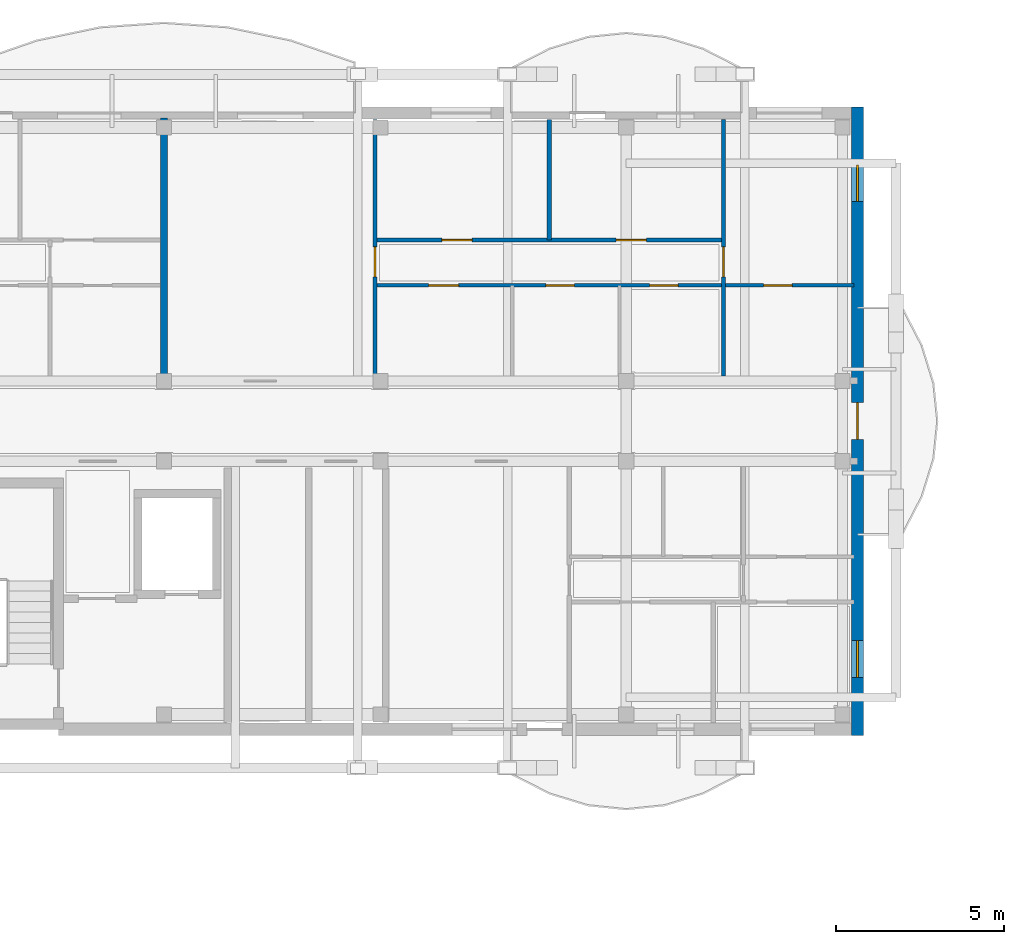
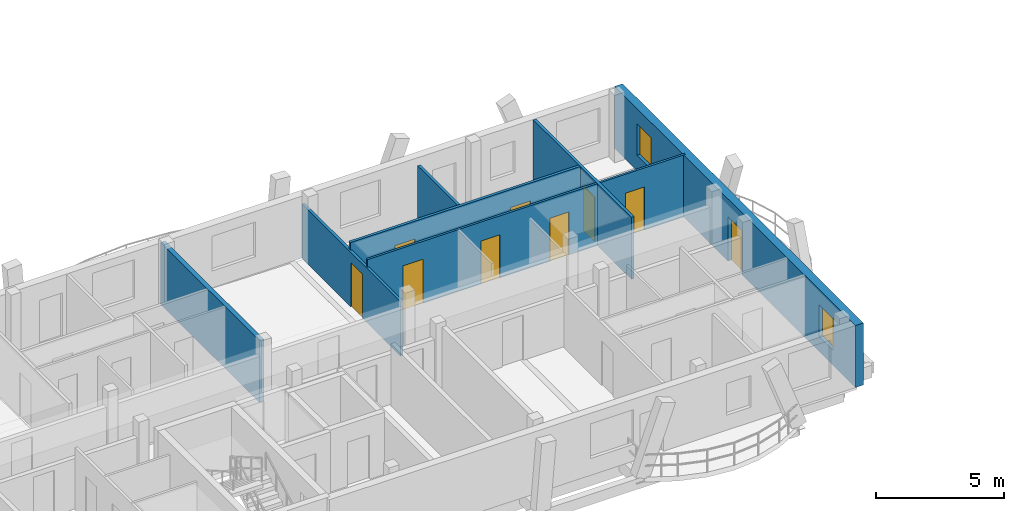
# One storey, part 25 of 48: 9 doors, 7 walls, 2 windows, 11 openings.
"""IFC4 building model written with IfcOpenShell, lengths in metres."""

from ifc_helpers import new_model, si_unit, direction, frame, frame_2d, origin, origin_with_axes, place, context, subcontext, project, spatial, rectangle, extrude, material, layer, layer_set, type_object, element, fill, save


model = new_model("IFC4")

# Units and contexts
model_context = context("Model", 3, precision=1e-05, world=origin(), true_north=direction((0.0, 1.0)))
body_context = subcontext(model_context, "Body", "Model", "MODEL_VIEW")
ifc_project = project(units=[si_unit("LENGTHUNIT", "METRE"), si_unit("AREAUNIT", "SQUARE_METRE"), si_unit("VOLUMEUNIT", "CUBIC_METRE"), si_unit("PLANEANGLEUNIT", "RADIAN"), si_unit("MASSUNIT", "GRAM", prefix="KILO")], contexts=[model_context])

# Site, building, storey
site_placement = place(None, origin())
site = spatial("IfcSite", under=ifc_project, at=site_placement, CompositionType="ELEMENT")
building_placement = place(site_placement, origin())
building = spatial("IfcBuilding", under=site, at=building_placement, Name="Zavelmont Quarter", CompositionType="ELEMENT")
storey_placement = place(building_placement, frame((0.0, 0.0, 17.60009765625)))
storey = spatial("IfcBuildingStorey", under=building, at=storey_placement, Name="L05", CompositionType="ELEMENT", Elevation=17.60009765625)

# Wall, openings, door, windows
ifc_material_1 = material(Name="Natural Belgian limestone", Category="masonry")
ifc_layer_1 = layer(ifc_material_1, 0.360107421875)
ifc_layer_set_1 = layer_set([ifc_layer_1], Name="Natural Belgian limestone")
wall_type_1 = type_object("IfcWallType", Name="EW02", PredefinedType="STANDARD", material=ifc_layer_set_1)
wall_1_placement = place(storey_placement, frame((55.199951171875, 97.419921875, 0.0), z_axis=(0.0, 0.0, 1.0), x_axis=(0.0, 1.0, 0.0)))
wall_1 = element("IfcWall", 1, at=wall_1_placement, inside=storey, type_object=wall_type_1, Name="L05 exterior limestone wall EW02", PredefinedType="STANDARD", context=body_context, shape_type="SweptSolid", body=[
    extrude(rectangle(XDim=18.760009765625, YDim=0.360107421875, at=frame_2d((9.3798828125, 0.0))), origin(), (0.0, 0.0, 1.0), 2.949951171875),
])
opening_1_placement = place(wall_1_placement, frame((8.830078125, 0.0, 0.0)))
opening_1 = element("IfcOpeningElement", 2, at=opening_1_placement, cuts=wall_1, Name="Opening DR04B", PredefinedType="OPENING", context=body_context, shape_type="SweptSolid", body=[
    extrude(rectangle(XDim=1.10009765625, YDim=2.10009765625, at=frame_2d((0.550048828125, 1.050048828125))), frame((0.0, 0.19189453125, 0.0), z_axis=(0.0, -1.0, 0.0), x_axis=(1.0, 0.0, 0.0)), (0.0, 0.0, 1.0), 0.384033203125),
])
opening_2_placement = place(wall_1_placement, frame((1.72998046875, 0.0, 0.719970703125)))
opening_2 = element("IfcOpeningElement", 3, at=opening_2_placement, cuts=wall_1, Name="Opening WN09", PredefinedType="OPENING", context=body_context, shape_type="SweptSolid", body=[
    extrude(rectangle(XDim=1.10009765625, YDim=1.5, at=frame_2d((0.550048828125, 0.75))), frame((0.0, 0.19189453125, 0.0), z_axis=(0.0, -1.0, 0.0), x_axis=(1.0, 0.0, 0.0)), (0.0, 0.0, 1.0), 0.384033203125),
])
opening_3_placement = place(wall_1_placement, frame((15.929931640625, 0.0, 0.719970703125)))
opening_3 = element("IfcOpeningElement", 4, at=opening_3_placement, cuts=wall_1, Name="Opening WN09", PredefinedType="OPENING", context=body_context, shape_type="SweptSolid", body=[
    extrude(rectangle(XDim=1.10009765625, YDim=1.5, at=frame_2d((0.550048828125, 0.75))), frame((0.0, 0.19189453125, 0.0), z_axis=(0.0, -1.0, 0.0), x_axis=(1.0, 0.0, 0.0)), (0.0, 0.0, 1.0), 0.384033203125),
])
ifc_material_2 = material(Name="Thermally broken aluminium and double safety glass", Category="aluminium")
door_type_1 = type_object("IfcDoorType", Name="DR04B", OperationType="NOTDEFINED", PredefinedType="DOOR", material=ifc_material_2)
door_1_placement = place(opening_1_placement, origin_with_axes())
door_1 = element("IfcDoor", 5, at=door_1_placement, inside=storey, type_object=door_type_1, Name="Block B L05 terrace or vase balcony door", OperationType="SINGLE_SWING_RIGHT", OverallHeight=2.10009765625, OverallWidth=1.10009765625, PredefinedType="DOOR", context=body_context, shape_type="SweptSolid", body=[
    extrude(rectangle(XDim=1.10009765625, YDim=2.10009765625, at=frame_2d((0.550048828125, 1.050048828125))), frame((0.0, 0.02490234375, 0.0), z_axis=(0.0, -1.0, 0.0), x_axis=(1.0, 0.0, 0.0)), (0.0, 0.0, 1.0), 0.050048828125),
])
fill(opening_1, door_1)
ifc_material_3 = material(Name="Double low-E insulated glazing in thermally broken aluminium frame", Category="aluminium")
window_type = type_object("IfcWindowType", Name="WN09", PartitioningType="SINGLE_PANEL", PredefinedType="WINDOW", material=ifc_material_3)
window_1_placement = place(opening_2_placement, origin_with_axes())
window_1 = element("IfcWindow", 6, at=window_1_placement, inside=storey, type_object=window_type, Name="L05 window WN09", OverallHeight=1.5, OverallWidth=1.10009765625, PartitioningType="SINGLE_PANEL", PredefinedType="WINDOW", context=body_context, shape_type="SweptSolid", body=[
    extrude(rectangle(XDim=1.10009765625, YDim=1.5, at=frame_2d((0.550048828125, 0.75))), frame((0.0, 0.030029296875, 0.0), z_axis=(0.0, -1.0, 0.0), x_axis=(1.0, 0.0, 0.0)), (0.0, 0.0, 1.0), 0.06005859375),
])
fill(opening_2, window_1)
window_2_placement = place(opening_3_placement, origin_with_axes())
window_2 = element("IfcWindow", 7, at=window_2_placement, inside=storey, type_object=window_type, Name="L05 window WN09", OverallHeight=1.5, OverallWidth=1.10009765625, PartitioningType="SINGLE_PANEL", PredefinedType="WINDOW", context=body_context, shape_type="SweptSolid", body=[
    extrude(rectangle(XDim=1.10009765625, YDim=1.5, at=frame_2d((0.550048828125, 0.75))), frame((0.0, 0.030029296875, 0.0), z_axis=(0.0, -1.0, 0.0), x_axis=(1.0, 0.0, 0.0)), (0.0, 0.0, 1.0), 0.06005859375),
])
fill(opening_3, window_2)

# Wall
ifc_material_4 = material(Name="Calcium-silicate blockwork and acoustic plaster", Category="masonry")
ifc_layer_2 = layer(ifc_material_4, 0.199951171875)
ifc_layer_set_2 = layer_set([ifc_layer_2], Name="Calcium-silicate blockwork and acoustic plaster")
wall_type_2 = type_object("IfcWallType", Name="IW01", PredefinedType="PARTITIONING", material=ifc_layer_set_2)
wall_2_placement = place(storey_placement, frame((34.5, 108.14990234375, 0.0), z_axis=(0.0, 0.0, 1.0), x_axis=(0.0, 1.0, 0.0)))
element("IfcWall", 8, at=wall_2_placement, inside=storey, type_object=wall_type_2, Name="L05 Inter-dwelling compartment wall IW01", PredefinedType="PARTITIONING", context=body_context, shape_type="SweptSolid", body=[
    extrude(rectangle(XDim=7.7001953125, YDim=0.199951171875, at=frame_2d((3.85009765625, 0.0))), origin(), (0.0, 0.0, 1.0), 2.949951171875),
])

# Wall, opening, door
ifc_material_5 = material(Name="Double gypsum board on acoustic steel stud", Category="steel")
ifc_layer_3 = layer(ifc_material_5, 0.125)
ifc_layer_set_3 = layer_set([ifc_layer_3], Name="Double gypsum board on acoustic steel stud")
wall_type_3 = type_object("IfcWallType", Name="IW03", PredefinedType="PARTITIONING", material=ifc_layer_set_3)
wall_3_placement = place(storey_placement, frame((40.800048828125, 108.14990234375, 0.0), z_axis=(0.0, 0.0, 1.0), x_axis=(0.0, 1.0, 0.0)))
wall_3 = element("IfcWall", 9, at=wall_3_placement, inside=storey, type_object=wall_type_3, Name="L05 Partition IW03", PredefinedType="PARTITIONING", context=body_context, shape_type="SweptSolid", body=[
    extrude(rectangle(XDim=7.650146484375, YDim=0.125, at=frame_2d((3.8251953125, 0.0))), origin(), (0.0, 0.0, 1.0), 2.58984375),
])
opening_4_placement = place(wall_3_placement, frame((2.949951171875, 0.0, 0.0)))
opening_4 = element("IfcOpeningElement", 10, at=opening_4_placement, cuts=wall_3, Name="Opening DR05", PredefinedType="OPENING", context=body_context, shape_type="SweptSolid", body=[
    extrude(rectangle(XDim=0.89990234375, YDim=2.10009765625, at=frame_2d((0.449951171875, 1.050048828125))), frame((0.0, 0.074462890625, 0.0), z_axis=(0.0, -1.0, 0.0), x_axis=(1.0, 0.0, 0.0)), (0.0, 0.0, 1.0), 0.14892578125),
])
ifc_material_6 = material(Name="Engineered oak flush interior door")
door_type_2 = type_object("IfcDoorType", Name="DR05", OperationType="NOTDEFINED", PredefinedType="DOOR", material=ifc_material_6)
door_2_placement = place(opening_4_placement, frame((0.89990234375, 0.0, 0.0), z_axis=(0.0, 0.0, 1.0), x_axis=(-1.0, 0.0, 0.0)))
door_2 = element("IfcDoor", 11, at=door_2_placement, inside=storey, type_object=door_type_2, Name="L05 door DR05", OperationType="SINGLE_SWING_RIGHT", OverallHeight=2.10009765625, OverallWidth=0.89990234375, PredefinedType="DOOR", context=body_context, shape_type="SweptSolid", body=[
    extrude(rectangle(XDim=0.89990234375, YDim=2.10009765625, at=frame_2d((0.449951171875, 1.050048828125))), frame((0.0, 0.02490234375, 0.0), z_axis=(0.0, -1.0, 0.0), x_axis=(1.0, 0.0, 0.0)), (0.0, 0.0, 1.0), 0.050048828125),
])
fill(opening_4, door_2)

# Wall
wall_4_placement = place(storey_placement, frame((46.0, 112.199951171875, 0.0), z_axis=(0.0, 0.0, 1.0), x_axis=(0.0, 1.0, 0.0)))
element("IfcWall", 12, at=wall_4_placement, inside=storey, type_object=wall_type_3, Name="L05 Partition IW03", PredefinedType="PARTITIONING", context=body_context, shape_type="SweptSolid", body=[
    extrude(rectangle(XDim=3.60009765625, YDim=0.125, at=frame_2d((1.800048828125, 0.0))), origin(), (0.0, 0.0, 1.0), 2.58984375),
])

# Wall, opening, door
wall_5_placement = place(storey_placement, frame((51.199951171875, 108.14990234375, 0.0), z_axis=(0.0, 0.0, 1.0), x_axis=(0.0, 1.0, 0.0)))
wall_5 = element("IfcWall", 13, at=wall_5_placement, inside=storey, type_object=wall_type_3, Name="L05 Partition IW03", PredefinedType="PARTITIONING", context=body_context, shape_type="SweptSolid", body=[
    extrude(rectangle(XDim=7.650146484375, YDim=0.125, at=frame_2d((3.8251953125, 0.0))), origin(), (0.0, 0.0, 1.0), 2.949951171875),
])
opening_5_placement = place(wall_5_placement, frame((2.949951171875, 0.0, 0.0)))
opening_5 = element("IfcOpeningElement", 14, at=opening_5_placement, cuts=wall_5, Name="Opening DR05", PredefinedType="OPENING", context=body_context, shape_type="SweptSolid", body=[
    extrude(rectangle(XDim=0.89990234375, YDim=2.10009765625, at=frame_2d((0.449951171875, 1.050048828125))), frame((0.0, 0.074462890625, 0.0), z_axis=(0.0, -1.0, 0.0), x_axis=(1.0, 0.0, 0.0)), (0.0, 0.0, 1.0), 0.14892578125),
])
door_3_placement = place(opening_5_placement, origin_with_axes())
door_3 = element("IfcDoor", 15, at=door_3_placement, inside=storey, type_object=door_type_2, Name="L05 door DR05", OperationType="SINGLE_SWING_LEFT", OverallHeight=2.10009765625, OverallWidth=0.89990234375, PredefinedType="DOOR", context=body_context, shape_type="SweptSolid", body=[
    extrude(rectangle(XDim=0.89990234375, YDim=2.10009765625, at=frame_2d((0.449951171875, 1.050048828125))), frame((0.0, 0.02490234375, 0.0), z_axis=(0.0, -1.0, 0.0), x_axis=(1.0, 0.0, 0.0)), (0.0, 0.0, 1.0), 0.050048828125),
])
fill(opening_5, door_3)

# Wall, openings, doors
wall_6_placement = place(storey_placement, frame((40.800048828125, 112.199951171875, 0.0), z_axis=(0.0, 0.0, 1.0), x_axis=(1.0, 0.0, 0.0)))
wall_6 = element("IfcWall", 16, at=wall_6_placement, inside=storey, type_object=wall_type_3, Name="L05 Partition IW03", PredefinedType="PARTITIONING", context=body_context, shape_type="SweptSolid", body=[
    extrude(rectangle(XDim=10.39990234375, YDim=0.125, at=frame_2d((5.199951171875, 0.0))), origin(), (0.0, 0.0, 1.0), 2.949951171875),
])
opening_6_placement = place(wall_6_placement, frame((2.0, 0.0, 0.0)))
opening_6 = element("IfcOpeningElement", 17, at=opening_6_placement, cuts=wall_6, Name="Opening DR05", PredefinedType="OPENING", context=body_context, shape_type="SweptSolid", body=[
    extrude(rectangle(XDim=0.89990234375, YDim=2.10009765625, at=frame_2d((0.449951171875, 1.050048828125))), frame((0.0, 0.074462890625, 0.0), z_axis=(0.0, -1.0, 0.0), x_axis=(1.0, 0.0, 0.0)), (0.0, 0.0, 1.0), 0.14892578125),
])
opening_7_placement = place(wall_6_placement, frame((7.199951171875, 0.0, 0.0)))
opening_7 = element("IfcOpeningElement", 18, at=opening_7_placement, cuts=wall_6, Name="Opening DR05", PredefinedType="OPENING", context=body_context, shape_type="SweptSolid", body=[
    extrude(rectangle(XDim=0.89990234375, YDim=2.10009765625, at=frame_2d((0.449951171875, 1.050048828125))), frame((0.0, 0.074462890625, 0.0), z_axis=(0.0, -1.0, 0.0), x_axis=(1.0, 0.0, 0.0)), (0.0, 0.0, 1.0), 0.14892578125),
])
door_4_placement = place(opening_6_placement, frame((0.89990234375, 0.0, 0.0), z_axis=(0.0, 0.0, 1.0), x_axis=(-1.0, 0.0, 0.0)))
door_4 = element("IfcDoor", 19, at=door_4_placement, inside=storey, type_object=door_type_2, Name="L05 door DR05", OperationType="SINGLE_SWING_RIGHT", OverallHeight=2.10009765625, OverallWidth=0.89990234375, PredefinedType="DOOR", context=body_context, shape_type="SweptSolid", body=[
    extrude(rectangle(XDim=0.89990234375, YDim=2.10009765625, at=frame_2d((0.449951171875, 1.050048828125))), frame((0.0, 0.02490234375, 0.0), z_axis=(0.0, -1.0, 0.0), x_axis=(1.0, 0.0, 0.0)), (0.0, 0.0, 1.0), 0.050048828125),
])
fill(opening_6, door_4)
door_5_placement = place(opening_7_placement, origin_with_axes())
door_5 = element("IfcDoor", 20, at=door_5_placement, inside=storey, type_object=door_type_2, Name="L05 door DR05", OperationType="SINGLE_SWING_LEFT", OverallHeight=2.10009765625, OverallWidth=0.89990234375, PredefinedType="DOOR", context=body_context, shape_type="SweptSolid", body=[
    extrude(rectangle(XDim=0.89990234375, YDim=2.10009765625, at=frame_2d((0.449951171875, 1.050048828125))), frame((0.0, 0.02490234375, 0.0), z_axis=(0.0, -1.0, 0.0), x_axis=(1.0, 0.0, 0.0)), (0.0, 0.0, 1.0), 0.050048828125),
])
fill(opening_7, door_5)

ifc_material_7 = material(Name="Moisture-resistant gypsum board on steel stud", Category="steel")
ifc_layer_4 = layer(ifc_material_7, 0.10009765625)
ifc_layer_set_4 = layer_set([ifc_layer_4], Name="Moisture-resistant gypsum board on steel stud")
wall_type_4 = type_object("IfcWallType", Name="IW04", PredefinedType="PARTITIONING", material=ifc_layer_set_4)
wall_7_placement = place(storey_placement, frame((40.800048828125, 110.85009765625, 0.0), z_axis=(0.0, 0.0, 1.0), x_axis=(1.0, 0.0, 0.0)))
wall_7 = element("IfcWall", 21, at=wall_7_placement, inside=storey, type_object=wall_type_4, Name="L05 Partition IW04", PredefinedType="PARTITIONING", context=body_context, shape_type="SweptSolid", body=[
    extrude(rectangle(XDim=14.300048828125, YDim=0.10009765625, at=frame_2d((7.14990234375, 0.0))), origin(), (0.0, 0.0, 1.0), 2.949951171875),
])
opening_8_placement = place(wall_7_placement, frame((1.60009765625, 0.0, 0.0)))
opening_8 = element("IfcOpeningElement", 22, at=opening_8_placement, cuts=wall_7, Name="Opening DR05", PredefinedType="OPENING", context=body_context, shape_type="SweptSolid", body=[
    extrude(rectangle(XDim=0.89990234375, YDim=2.10009765625, at=frame_2d((0.449951171875, 1.050048828125))), frame((0.0, 0.06201171875, 0.0), z_axis=(0.0, -1.0, 0.0), x_axis=(1.0, 0.0, 0.0)), (0.0, 0.0, 1.0), 0.1240234375),
])
opening_9_placement = place(wall_7_placement, frame((5.10009765625, 0.0, 0.0)))
opening_9 = element("IfcOpeningElement", 23, at=opening_9_placement, cuts=wall_7, Name="Opening DR06", PredefinedType="OPENING", context=body_context, shape_type="SweptSolid", body=[
    extrude(rectangle(XDim=0.85009765625, YDim=2.050048828125, at=frame_2d((0.425048828125, 1.02490234375))), frame((0.0, 0.06201171875, 0.0), z_axis=(0.0, -1.0, 0.0), x_axis=(1.0, 0.0, 0.0)), (0.0, 0.0, 1.0), 0.1240234375),
])
opening_10_placement = place(wall_7_placement, frame((8.199951171875, 0.0, 0.0)))
opening_10 = element("IfcOpeningElement", 24, at=opening_10_placement, cuts=wall_7, Name="Opening DR06", PredefinedType="OPENING", context=body_context, shape_type="SweptSolid", body=[
    extrude(rectangle(XDim=0.85009765625, YDim=2.050048828125, at=frame_2d((0.425048828125, 1.02490234375))), frame((0.0, 0.06201171875, 0.0), z_axis=(0.0, -1.0, 0.0), x_axis=(1.0, 0.0, 0.0)), (0.0, 0.0, 1.0), 0.1240234375),
])
opening_11_placement = place(wall_7_placement, frame((11.60009765625, 0.0, 0.0)))
opening_11 = element("IfcOpeningElement", 25, at=opening_11_placement, cuts=wall_7, Name="Opening DR06", PredefinedType="OPENING", context=body_context, shape_type="SweptSolid", body=[
    extrude(rectangle(XDim=0.85009765625, YDim=2.050048828125, at=frame_2d((0.425048828125, 1.02490234375))), frame((0.0, 0.06201171875, 0.0), z_axis=(0.0, -1.0, 0.0), x_axis=(1.0, 0.0, 0.0)), (0.0, 0.0, 1.0), 0.1240234375),
])
door_6_placement = place(opening_8_placement, frame((0.89990234375, 0.0, 0.0), z_axis=(0.0, 0.0, 1.0), x_axis=(-1.0, 0.0, 0.0)))
door_6 = element("IfcDoor", 26, at=door_6_placement, inside=storey, type_object=door_type_2, Name="L05 door DR05", OperationType="SINGLE_SWING_RIGHT", OverallHeight=2.10009765625, OverallWidth=0.89990234375, PredefinedType="DOOR", context=body_context, shape_type="SweptSolid", body=[
    extrude(rectangle(XDim=0.89990234375, YDim=2.10009765625, at=frame_2d((0.449951171875, 1.050048828125))), frame((0.0, 0.02490234375, 0.0), z_axis=(0.0, -1.0, 0.0), x_axis=(1.0, 0.0, 0.0)), (0.0, 0.0, 1.0), 0.050048828125),
])
fill(opening_8, door_6)
ifc_material_8 = material(Name="Moisture-resistant painted wet-room door")
door_type_3 = type_object("IfcDoorType", Name="DR06", OperationType="NOTDEFINED", PredefinedType="DOOR", material=ifc_material_8)
door_7_placement = place(opening_9_placement, origin_with_axes())
door_7 = element("IfcDoor", 27, at=door_7_placement, inside=storey, type_object=door_type_3, Name="L05 door DR06", OperationType="SINGLE_SWING_LEFT", OverallHeight=2.050048828125, OverallWidth=0.85009765625, PredefinedType="DOOR", context=body_context, shape_type="SweptSolid", body=[
    extrude(rectangle(XDim=0.85009765625, YDim=2.050048828125, at=frame_2d((0.425048828125, 1.02490234375))), frame((0.0, 0.02490234375, 0.0), z_axis=(0.0, -1.0, 0.0), x_axis=(1.0, 0.0, 0.0)), (0.0, 0.0, 1.0), 0.050048828125),
])
fill(opening_9, door_7)
door_8_placement = place(opening_10_placement, frame((0.85009765625, 0.0, 0.0), z_axis=(0.0, 0.0, 1.0), x_axis=(-1.0, 0.0, 0.0)))
door_8 = element("IfcDoor", 28, at=door_8_placement, inside=storey, type_object=door_type_3, Name="L05 door DR06", OperationType="SINGLE_SWING_RIGHT", OverallHeight=2.050048828125, OverallWidth=0.85009765625, PredefinedType="DOOR", context=body_context, shape_type="SweptSolid", body=[
    extrude(rectangle(XDim=0.85009765625, YDim=2.050048828125, at=frame_2d((0.425048828125, 1.02490234375))), frame((0.0, 0.02490234375, 0.0), z_axis=(0.0, -1.0, 0.0), x_axis=(1.0, 0.0, 0.0)), (0.0, 0.0, 1.0), 0.050048828125),
])
fill(opening_10, door_8)
door_9_placement = place(opening_11_placement, origin_with_axes())
door_9 = element("IfcDoor", 29, at=door_9_placement, inside=storey, type_object=door_type_3, Name="L05 door DR06", OperationType="SINGLE_SWING_LEFT", OverallHeight=2.050048828125, OverallWidth=0.85009765625, PredefinedType="DOOR", context=body_context, shape_type="SweptSolid", body=[
    extrude(rectangle(XDim=0.85009765625, YDim=2.050048828125, at=frame_2d((0.425048828125, 1.02490234375))), frame((0.0, 0.02490234375, 0.0), z_axis=(0.0, -1.0, 0.0), x_axis=(1.0, 0.0, 0.0)), (0.0, 0.0, 1.0), 0.050048828125),
])
fill(opening_11, door_9)

save(model, "model.ifc")
